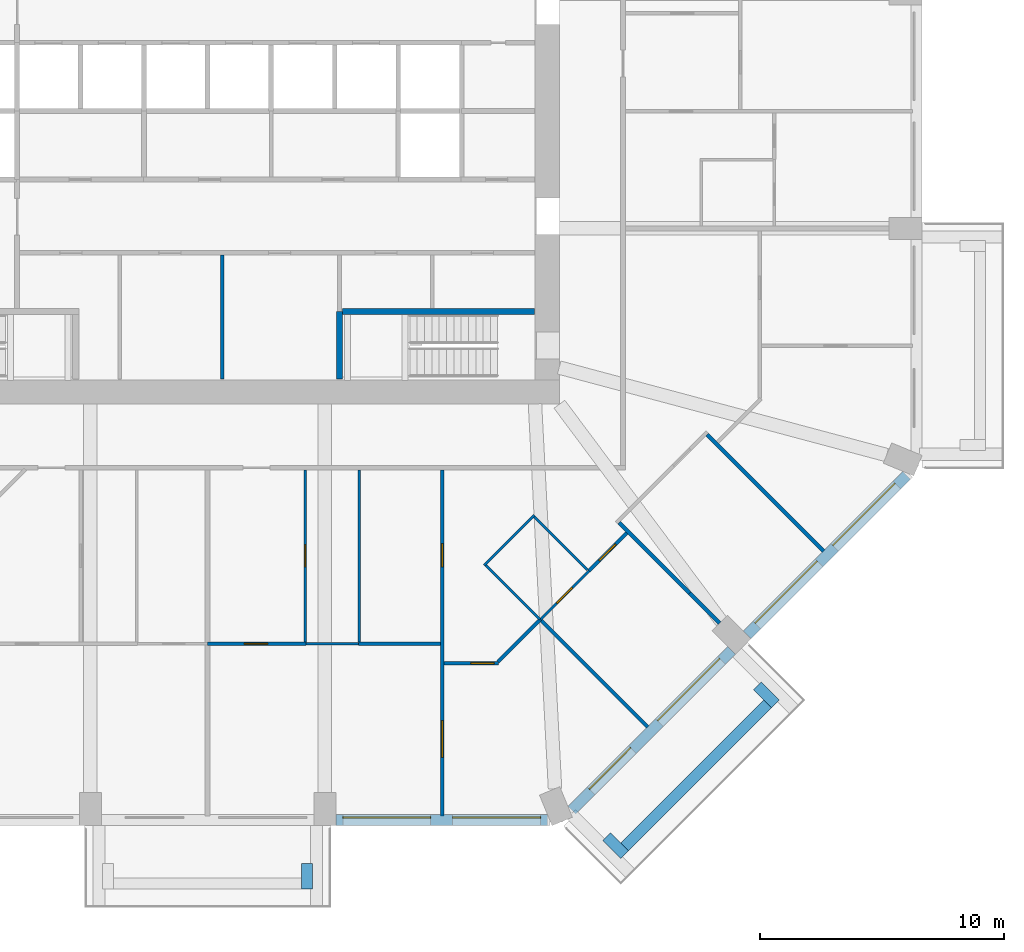
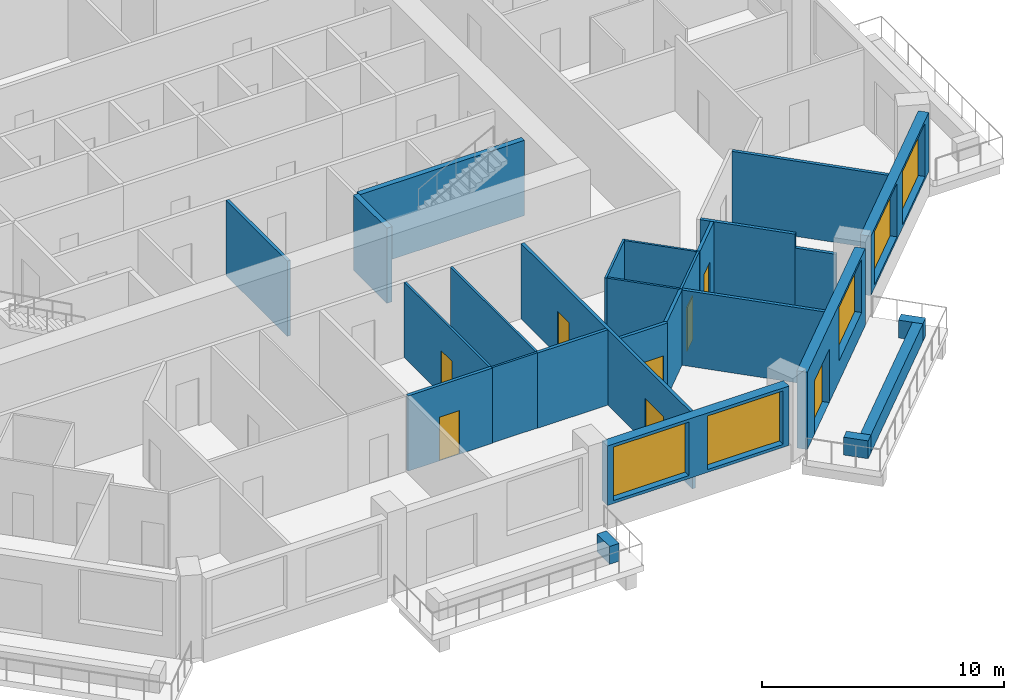
# One storey, part 5 of 13: 27 walls, 8 doors, 5 windows, 13 openings.
"""IFC4 building model written with IfcOpenShell, lengths in metres."""

from ifc_helpers import new_model, si_unit, direction, frame, frame_2d, origin, place, context, subcontext, project, spatial, rectangle, extrude, material, layer, layer_set, type_object, element, fill, save


model = new_model("IFC4")

# Units and contexts
model_context = context("Model", 3, precision=1e-05, world=origin(), true_north=direction((0.0, 1.0)))
body_context = subcontext(model_context, "Body", "Model", "MODEL_VIEW")
ifc_project = project(units=[si_unit("LENGTHUNIT", "METRE"), si_unit("AREAUNIT", "SQUARE_METRE"), si_unit("VOLUMEUNIT", "CUBIC_METRE"), si_unit("PLANEANGLEUNIT", "RADIAN"), si_unit("MASSUNIT", "GRAM", prefix="KILO")], contexts=[model_context])

# Site, building, storey
site_placement = place(None, origin())
site = spatial("IfcSite", under=ifc_project, at=site_placement, CompositionType="ELEMENT")
building_placement = place(site_placement, origin())
building = spatial("IfcBuilding", under=site, at=building_placement, Name="Msitu Wima Residences", CompositionType="ELEMENT")
storey_placement = place(building_placement, frame((0.0, 0.0, 92.699951171875)))
storey = spatial("IfcBuildingStorey", under=building, at=storey_placement, Name="L21", CompositionType="ELEMENT", Elevation=92.699951171875)

# Walls
ifc_material_1 = material(Name="Facing brick")
ifc_layer_1 = layer(ifc_material_1, 0.06494140625, Name="Facing brick")
ifc_material_2 = material(Name="Concrete C40/50", Category="concrete")
ifc_layer_2 = layer(ifc_material_2, 0.156005859375, Name="Concrete C40/50")
ifc_material_3 = material(Name="Waterproofing membrane")
ifc_layer_3 = layer(ifc_material_3, 0.00390625, Name="Waterproofing membrane")
ifc_material_4 = material(Name="Planting soil and planting")
ifc_layer_4 = layer(ifc_material_4, 0.22509765625, Name="Planting soil and planting")
ifc_layer_set_1 = layer_set([ifc_layer_1, ifc_layer_2, ifc_layer_3, ifc_layer_4], Name="Concrete C40/50")
wall_type_1 = type_object("IfcWallType", Name="Balcony planter PLANTER PL450", PredefinedType="USERDEFINED", material=ifc_layer_set_1)
wall_1_placement = place(storey_placement, frame((4.074951171875, -30.800048828125, 0.0), z_axis=(0.0, 0.0, 1.0), x_axis=(0.0, -1.0, 0.0)))
element("IfcWall", 1, at=wall_1_placement, inside=storey, type_object=wall_type_1, Name="Balcony planter S1 L21", ObjectType="PLANTER", PredefinedType="USERDEFINED", context=body_context, shape_type="SweptSolid", body=[
    extrude(rectangle(XDim=1.050048828125, YDim=0.449951171875, at=frame_2d((0.52490234375, 0.0))), origin(), (0.0, 0.0, 1.0), 0.900146484375),
])
wall_2_placement = place(storey_placement, frame((17.0693359375, -30.125732421875, 0.0), z_axis=(0.0, 0.0, 1.0), x_axis=(0.707106781187, 0.707106781187, 0.0)))
element("IfcWall", 2, at=wall_2_placement, inside=storey, type_object=wall_type_1, Name="Balcony planter SE0 L21", ObjectType="PLANTER", PredefinedType="USERDEFINED", context=body_context, shape_type="SweptSolid", body=[
    extrude(rectangle(XDim=8.2822265625, YDim=0.449951171875, at=frame_2d((4.14111328125, 0.0))), origin(), (0.0, 0.0, 1.0), 0.900146484375),
])
for number, where, z_axis, x_axis, name in (
    (3, (16.326904296875, -29.70166015625, 0.0), (0.0, 0.0, 1.0), (0.707106781187, -0.707106781187, 0.0), "Balcony planter SE0 L21"),
    (4, (22.50146484375, -23.52685546875, 0.0), (0.0, 0.0, 1.0), (0.707223014731, -0.706990528533, 0.0), "Balcony planter SE0 L21"),
):
    element("IfcWall", number, at=place(storey_placement, frame(where, z_axis=z_axis, x_axis=x_axis)), inside=storey, type_object=wall_type_1, Name=name, ObjectType="PLANTER", PredefinedType="USERDEFINED", context=body_context, shape_type="SweptSolid", body=[
        extrude(rectangle(XDim=1.050048828125, YDim=0.449951171875, at=frame_2d((0.52490234375, 0.0))), origin(), (0.0, 0.0, 1.0), 0.900146484375),
    ])

# Wall, openings, windows
ifc_material_5 = material(Name="Brick (red buff mix)", Category="masonry")
ifc_layer_5 = layer(ifc_material_5, 0.449951171875)
ifc_layer_set_2 = layer_set([ifc_layer_5], Name="Brick (red buff mix)")
wall_type_2 = type_object("IfcWallType", Name="Brick infill wall BW450", PredefinedType="SOLIDWALL", material=ifc_layer_set_2)
wall_3_placement = place(storey_placement, frame((5.25, -29.02490234375, 0.900146484375), z_axis=(0.0, 0.0, 1.0), x_axis=(1.0, 0.0, 0.0)))
wall_3 = element("IfcWall", 5, at=wall_3_placement, inside=storey, type_object=wall_type_2, Name="Brick infill wall L21 S2", PredefinedType="SOLIDWALL", context=body_context, shape_type="SweptSolid", body=[
    extrude(rectangle(XDim=8.662841796875, YDim=0.449951171875, at=frame_2d((4.33154296875, 0.0))), origin(), (0.0, 0.0, 1.0), 3.0),
])
opening_1_placement = place(wall_3_placement, frame((0.281494140625, 0.0, 0.14990234375)))
opening_1 = element("IfcOpeningElement", 6, at=opening_1_placement, cuts=wall_3, Name="Opening W21.019", PredefinedType="OPENING", context=body_context, shape_type="SweptSolid", body=[
    extrude(rectangle(XDim=3.60009765625, YDim=2.699951171875, at=frame_2d((1.800048828125, 1.35009765625))), frame((0.0, 0.23486328125, 0.0), z_axis=(0.0, -1.0, 0.0), x_axis=(1.0, 0.0, 0.0)), (0.0, 0.0, 1.0), 0.469970703125),
])
opening_2_placement = place(wall_3_placement, frame((4.781494140625, 0.0, 0.14990234375)))
opening_2 = element("IfcOpeningElement", 7, at=opening_2_placement, cuts=wall_3, Name="Opening W21.020", PredefinedType="OPENING", context=body_context, shape_type="SweptSolid", body=[
    extrude(rectangle(XDim=3.60009765625, YDim=2.699951171875, at=frame_2d((1.800048828125, 1.35009765625))), frame((0.0, 0.23486328125, 0.0), z_axis=(0.0, -1.0, 0.0), x_axis=(1.0, 0.0, 0.0)), (0.0, 0.0, 1.0), 0.469970703125),
])
ifc_material_6 = material(Name="Anodised aluminium, bronze finish, clear low-emissivity double glazing", Category="aluminium")
window_type = type_object("IfcWindowType", Name="Window W3600x2700", PartitioningType="DOUBLE_PANEL_VERTICAL", PredefinedType="WINDOW", material=ifc_material_6)
window_1_placement = place(opening_1_placement, origin())
window_1 = element("IfcWindow", 8, at=window_1_placement, inside=storey, type_object=window_type, Name="Window L21 S2.1", OverallHeight=2.699951171875, OverallWidth=3.60009765625, PartitioningType="SINGLE_PANEL", PredefinedType="WINDOW", context=body_context, shape_type="SweptSolid", body=[
    extrude(rectangle(XDim=3.60009765625, YDim=2.699951171875, at=frame_2d((1.800048828125, 1.35009765625))), frame((0.0, 0.135009765625, 0.0), z_axis=(0.0, -1.0, 0.0), x_axis=(1.0, 0.0, 0.0)), (0.0, 0.0, 1.0), 0.06005859375),
])
fill(opening_1, window_1)
window_2_placement = place(opening_2_placement, origin())
window_2 = element("IfcWindow", 9, at=window_2_placement, inside=storey, type_object=window_type, Name="Window L21 S2.2", OverallHeight=2.699951171875, OverallWidth=3.60009765625, PartitioningType="SINGLE_PANEL", PredefinedType="WINDOW", context=body_context, shape_type="SweptSolid", body=[
    extrude(rectangle(XDim=3.60009765625, YDim=2.699951171875, at=frame_2d((1.800048828125, 1.35009765625))), frame((0.0, 0.135009765625, 0.0), z_axis=(0.0, -1.0, 0.0), x_axis=(1.0, 0.0, 0.0)), (0.0, 0.0, 1.0), 0.06005859375),
])
fill(opening_2, window_2)

# Wall, openings, door, window
wall_4_placement = place(storey_placement, frame((14.903564453125, -28.61474609375, 0.0), z_axis=(0.0, 0.0, 1.0), x_axis=(0.707106781187, 0.707106781187, 0.0)))
wall_4 = element("IfcWall", 10, at=wall_4_placement, inside=storey, type_object=wall_type_2, Name="Brick infill wall L21 SE0", PredefinedType="SOLIDWALL", context=body_context, shape_type="SweptSolid", body=[
    extrude(rectangle(XDim=9.2451171875, YDim=0.449951171875, at=frame_2d((4.62255859375, 0.0))), origin(), (0.0, 0.0, 1.0), 3.900146484375),
])
opening_3_placement = place(wall_4_placement, frame((1.111328125, 0.0, 0.0)))
opening_3 = element("IfcOpeningElement", 11, at=opening_3_placement, cuts=wall_4, Name="Opening D21.007", PredefinedType="OPENING", context=body_context, shape_type="SweptSolid", body=[
    extrude(rectangle(XDim=2.39990234375, YDim=2.699951171875, at=frame_2d((1.199951171875, 1.35009765625))), frame((0.0, 0.23486328125, 0.0), z_axis=(0.0, -1.0, 0.0), x_axis=(1.0, 0.0, 0.0)), (0.0, 0.0, 1.0), 0.469970703125),
])
opening_4_placement = place(wall_4_placement, frame((5.072509765625, 0.0, 1.050048828125)))
opening_4 = element("IfcOpeningElement", 12, at=opening_4_placement, cuts=wall_4, Name="Opening W21.021", PredefinedType="OPENING", context=body_context, shape_type="SweptSolid", body=[
    extrude(rectangle(XDim=3.60009765625, YDim=2.699951171875, at=frame_2d((1.800048828125, 1.35009765625))), frame((0.0, 0.23486328125, 0.0), z_axis=(0.0, -1.0, 0.0), x_axis=(1.0, 0.0, 0.0)), (0.0, 0.0, 1.0), 0.469970703125),
])
door_type_1 = type_object("IfcDoorType", Name="Balcony door D2400x2700", OperationType="SLIDING_TO_LEFT", PredefinedType="DOOR", material=ifc_material_6)
door_1_placement = place(opening_3_placement, origin())
door_1 = element("IfcDoor", 13, at=door_1_placement, inside=storey, type_object=door_type_1, Name="Balcony door L21 SE0", OperationType="SINGLE_SWING_LEFT", OverallHeight=2.699951171875, OverallWidth=2.39990234375, PredefinedType="DOOR", context=body_context, shape_type="SweptSolid", body=[
    extrude(rectangle(XDim=2.39990234375, YDim=2.699951171875, at=frame_2d((1.199951171875, 1.35009765625))), frame((0.0, 0.1298828125, 0.0), z_axis=(0.0, -1.0, 0.0), x_axis=(1.0, 0.0, 0.0)), (0.0, 0.0, 1.0), 0.050048828125),
])
fill(opening_3, door_1)
window_3_placement = place(opening_4_placement, origin())
window_3 = element("IfcWindow", 14, at=window_3_placement, inside=storey, type_object=window_type, Name="Window L21 SE0.2", OverallHeight=2.699951171875, OverallWidth=3.60009765625, PartitioningType="SINGLE_PANEL", PredefinedType="WINDOW", context=body_context, shape_type="SweptSolid", body=[
    extrude(rectangle(XDim=3.60009765625, YDim=2.699951171875, at=frame_2d((1.800048828125, 1.35009765625))), frame((0.0, 0.135009765625, 0.0), z_axis=(0.0, -1.0, 0.0), x_axis=(1.0, 0.0, 0.0)), (0.0, 0.0, 1.0), 0.06005859375),
])
fill(opening_4, window_3)

# Wall, openings, windows
wall_5_placement = place(storey_placement, frame((22.077392578125, -21.44091796875, 0.900146484375), z_axis=(0.0, 0.0, 1.0), x_axis=(0.707106781187, 0.707106781187, 0.0)))
wall_5 = element("IfcWall", 15, at=wall_5_placement, inside=storey, type_object=wall_type_2, Name="Brick infill wall L21 SE1", PredefinedType="SOLIDWALL", context=body_context, shape_type="SweptSolid", body=[
    extrude(rectangle(XDim=9.2451171875, YDim=0.449951171875, at=frame_2d((4.62255859375, 0.0))), origin(), (0.0, 0.0, 1.0), 3.0),
])
opening_5_placement = place(wall_5_placement, frame((0.572509765625, 0.0, 0.14990234375)))
opening_5 = element("IfcOpeningElement", 16, at=opening_5_placement, cuts=wall_5, Name="Opening W21.022", PredefinedType="OPENING", context=body_context, shape_type="SweptSolid", body=[
    extrude(rectangle(XDim=3.60009765625, YDim=2.699951171875, at=frame_2d((1.800048828125, 1.35009765625))), frame((0.0, 0.23486328125, 0.0), z_axis=(0.0, -1.0, 0.0), x_axis=(1.0, 0.0, 0.0)), (0.0, 0.0, 1.0), 0.469970703125),
])
opening_6_placement = place(wall_5_placement, frame((5.072509765625, 0.0, 0.14990234375)))
opening_6 = element("IfcOpeningElement", 17, at=opening_6_placement, cuts=wall_5, Name="Opening W21.023", PredefinedType="OPENING", context=body_context, shape_type="SweptSolid", body=[
    extrude(rectangle(XDim=3.60009765625, YDim=2.699951171875, at=frame_2d((1.800048828125, 1.35009765625))), frame((0.0, 0.23486328125, 0.0), z_axis=(0.0, -1.0, 0.0), x_axis=(1.0, 0.0, 0.0)), (0.0, 0.0, 1.0), 0.469970703125),
])
window_4_placement = place(opening_5_placement, origin())
window_4 = element("IfcWindow", 18, at=window_4_placement, inside=storey, type_object=window_type, Name="Window L21 SE1.1", OverallHeight=2.699951171875, OverallWidth=3.60009765625, PartitioningType="SINGLE_PANEL", PredefinedType="WINDOW", context=body_context, shape_type="SweptSolid", body=[
    extrude(rectangle(XDim=3.60009765625, YDim=2.699951171875, at=frame_2d((1.800048828125, 1.35009765625))), frame((0.0, 0.135009765625, 0.0), z_axis=(0.0, -1.0, 0.0), x_axis=(1.0, 0.0, 0.0)), (0.0, 0.0, 1.0), 0.06005859375),
])
fill(opening_5, window_4)
window_5_placement = place(opening_6_placement, origin())
window_5 = element("IfcWindow", 19, at=window_5_placement, inside=storey, type_object=window_type, Name="Window L21 SE1.2", OverallHeight=2.699951171875, OverallWidth=3.60009765625, PartitioningType="SINGLE_PANEL", PredefinedType="WINDOW", context=body_context, shape_type="SweptSolid", body=[
    extrude(rectangle(XDim=3.60009765625, YDim=2.699951171875, at=frame_2d((1.800048828125, 1.35009765625))), frame((0.0, 0.135009765625, 0.0), z_axis=(0.0, -1.0, 0.0), x_axis=(1.0, 0.0, 0.0)), (0.0, 0.0, 1.0), 0.06005859375),
])
fill(opening_6, window_5)

# Wall, opening, door
ifc_material_7 = material(Name="Plaster")
ifc_layer_6 = layer(ifc_material_7, 0.011962890625, Name="Plaster")
ifc_material_8 = material(Name="Concrete blockwork", Category="masonry")
ifc_layer_7 = layer(ifc_material_8, 0.1259765625, Name="Concrete blockwork")
ifc_layer_8 = layer(ifc_material_7, 0.011962890625, Name="Plaster")
ifc_layer_set_3 = layer_set([ifc_layer_6, ifc_layer_7, ifc_layer_8], Name="Concrete blockwork")
wall_type_3 = type_object("IfcWallType", Name="Partition PW150", PredefinedType="PARTITIONING", material=ifc_layer_set_3)
wall_6_placement = place(storey_placement, frame((0.0, -21.800048828125, 0.0), z_axis=(0.0, 0.0, 1.0), x_axis=(1.0, 0.0, 0.0)))
wall_6 = element("IfcWall", 20, at=wall_6_placement, inside=storey, type_object=wall_type_3, Name="Partition", PredefinedType="PARTITIONING", context=body_context, shape_type="SweptSolid", body=[
    extrude(rectangle(XDim=4.02001953125, YDim=0.14990234375, at=frame_2d((2.010009765625, 0.0))), origin(), (0.0, 0.0, 1.0), 3.798095703125),
])
opening_7_placement = place(wall_6_placement, frame((1.5, 0.0, 0.0)))
opening_7 = element("IfcOpeningElement", 21, at=opening_7_placement, cuts=wall_6, Name="Opening D21.075", PredefinedType="OPENING", context=body_context, shape_type="SweptSolid", body=[
    extrude(rectangle(XDim=0.949951171875, YDim=2.199951171875, at=frame_2d((0.47509765625, 1.10009765625))), frame((0.0, 0.0849609375, 0.0), z_axis=(0.0, -1.0, 0.0), x_axis=(1.0, 0.0, 0.0)), (0.0, 0.0, 1.0), 0.169921875),
])
ifc_material_9 = material(Name="Timber flush door", Category="wood")
door_type_2 = type_object("IfcDoorType", Name="Room door D12 950x2200", OperationType="SINGLE_SWING_LEFT", PredefinedType="DOOR", material=ifc_material_9)
door_2_placement = place(opening_7_placement, origin())
door_2 = element("IfcDoor", 22, at=door_2_placement, inside=storey, type_object=door_type_2, Name="Room door", OperationType="SINGLE_SWING_RIGHT", OverallHeight=2.199951171875, OverallWidth=0.949951171875, PredefinedType="DOOR", context=body_context, shape_type="SweptSolid", body=[
    extrude(rectangle(XDim=0.949951171875, YDim=2.199951171875, at=frame_2d((0.47509765625, 1.10009765625))), frame((0.0, 0.02490234375, 0.0), z_axis=(0.0, -1.0, 0.0), x_axis=(1.0, 0.0, 0.0)), (0.0, 0.0, 1.0), 0.050048828125),
])
fill(opening_7, door_2)

# Walls
wall_7_placement = place(storey_placement, frame((0.60009765625, -10.969970703125, 0.0), z_axis=(0.0, 0.0, 1.0), x_axis=(0.0, 1.0, 0.0)))
element("IfcWall", 23, at=wall_7_placement, inside=storey, type_object=wall_type_3, Name="Partition", PredefinedType="PARTITIONING", context=body_context, shape_type="SweptSolid", body=[
    extrude(rectangle(XDim=5.070068359375, YDim=0.14990234375, at=frame_2d((2.53515625, 0.0))), origin(), (0.0, 0.0, 1.0), 3.798095703125),
])
wall_8_placement = place(storey_placement, frame((6.179931640625, -21.800048828125, 0.0), z_axis=(0.0, 0.0, 1.0), x_axis=(1.0, 0.0, 0.0)))
element("IfcWall", 24, at=wall_8_placement, inside=storey, type_object=wall_type_3, Name="Partition", PredefinedType="PARTITIONING", context=body_context, shape_type="SweptSolid", body=[
    extrude(rectangle(XDim=3.344970703125, YDim=0.14990234375, at=frame_2d((1.67236328125, 0.0))), origin(), (0.0, 0.0, 1.0), 3.798095703125),
])

# Wall, openings, doors
wall_9_placement = place(storey_placement, frame((9.60009765625, -28.85498046875, 0.0), z_axis=(0.0, 0.0, 1.0), x_axis=(0.0, 1.0, 0.0)))
wall_9 = element("IfcWall", 25, at=wall_9_placement, inside=storey, type_object=wall_type_3, Name="Partition", PredefinedType="PARTITIONING", context=body_context, shape_type="SweptSolid", body=[
    extrude(rectangle(XDim=14.155029296875, YDim=0.14990234375, at=frame_2d((7.07763671875, 0.0))), origin(), (0.0, 0.0, 1.0), 3.798095703125),
])
opening_8_placement = place(wall_9_placement, frame((2.39990234375, 0.0, 0.0)))
opening_8 = element("IfcOpeningElement", 26, at=opening_8_placement, cuts=wall_9, Name="Opening D21.076", PredefinedType="OPENING", context=body_context, shape_type="SweptSolid", body=[
    extrude(rectangle(XDim=1.5, YDim=2.199951171875, at=frame_2d((0.75, 1.10009765625))), frame((0.0, 0.0849609375, 0.0), z_axis=(0.0, -1.0, 0.0), x_axis=(1.0, 0.0, 0.0)), (0.0, 0.0, 1.0), 0.169921875),
])
opening_9_placement = place(wall_9_placement, frame((10.199951171875, 0.0, 0.0)))
opening_9 = element("IfcOpeningElement", 27, at=opening_9_placement, cuts=wall_9, Name="Opening D21.085", PredefinedType="OPENING", context=body_context, shape_type="SweptSolid", body=[
    extrude(rectangle(XDim=0.949951171875, YDim=2.199951171875, at=frame_2d((0.47509765625, 1.10009765625))), frame((0.0, 0.0849609375, 0.0), z_axis=(0.0, -1.0, 0.0), x_axis=(1.0, 0.0, 0.0)), (0.0, 0.0, 1.0), 0.169921875),
])
ifc_material_10 = material(Name="Timber double door", Category="wood")
door_type_3 = type_object("IfcDoorType", Name="Double door D04 1500x2200", OperationType="DOUBLE_DOOR_SINGLE_SWING", PredefinedType="DOOR", material=ifc_material_10)
door_3_placement = place(opening_8_placement, origin())
door_3 = element("IfcDoor", 28, at=door_3_placement, inside=storey, type_object=door_type_3, Name="Double door", OperationType="DOUBLE_DOOR_SINGLE_SWING", OverallHeight=2.199951171875, OverallWidth=1.5, PredefinedType="DOOR", context=body_context, shape_type="SweptSolid", body=[
    extrude(rectangle(XDim=1.5, YDim=2.199951171875, at=frame_2d((0.75, 1.10009765625))), frame((0.0, 0.02490234375, 0.0), z_axis=(0.0, -1.0, 0.0), x_axis=(1.0, 0.0, 0.0)), (0.0, 0.0, 1.0), 0.050048828125),
])
fill(opening_8, door_3)
door_4_placement = place(opening_9_placement, origin())
door_4 = element("IfcDoor", 29, at=door_4_placement, inside=storey, type_object=door_type_2, Name="Room door", OperationType="SINGLE_SWING_RIGHT", OverallHeight=2.199951171875, OverallWidth=0.949951171875, PredefinedType="DOOR", context=body_context, shape_type="SweptSolid", body=[
    extrude(rectangle(XDim=0.949951171875, YDim=2.199951171875, at=frame_2d((0.47509765625, 1.10009765625))), frame((0.0, 0.02490234375, 0.0), z_axis=(0.0, -1.0, 0.0), x_axis=(1.0, 0.0, 0.0)), (0.0, 0.0, 1.0), 0.050048828125),
])
fill(opening_9, door_4)

# Wall, opening, door
wall_10_placement = place(storey_placement, frame((9.675048828125, -22.60009765625, 0.0), z_axis=(0.0, 0.0, 1.0), x_axis=(1.0, 0.0, 0.0)))
wall_10 = element("IfcWall", 30, at=wall_10_placement, inside=storey, type_object=wall_type_3, Name="Partition", PredefinedType="PARTITIONING", context=body_context, shape_type="SweptSolid", body=[
    extrude(rectangle(XDim=2.23193359375, YDim=0.14990234375, at=frame_2d((1.115966796875, 0.0))), origin(), (0.0, 0.0, 1.0), 3.798095703125),
])
opening_10_placement = place(wall_10_placement, frame((1.10009765625, 0.0, 0.0)))
opening_10 = element("IfcOpeningElement", 31, at=opening_10_placement, cuts=wall_10, Name="Opening D21.078", PredefinedType="OPENING", context=body_context, shape_type="SweptSolid", body=[
    extrude(rectangle(XDim=0.949951171875, YDim=2.199951171875, at=frame_2d((0.47509765625, 1.10009765625))), frame((0.0, 0.0849609375, 0.0), z_axis=(0.0, -1.0, 0.0), x_axis=(1.0, 0.0, 0.0)), (0.0, 0.0, 1.0), 0.169921875),
])
door_5_placement = place(opening_10_placement, origin())
door_5 = element("IfcDoor", 32, at=door_5_placement, inside=storey, type_object=door_type_2, Name="Room door", OperationType="SINGLE_SWING_RIGHT", OverallHeight=2.199951171875, OverallWidth=0.949951171875, PredefinedType="DOOR", context=body_context, shape_type="SweptSolid", body=[
    extrude(rectangle(XDim=0.949951171875, YDim=2.199951171875, at=frame_2d((0.47509765625, 1.10009765625))), frame((0.0, 0.02490234375, 0.0), z_axis=(0.0, -1.0, 0.0), x_axis=(1.0, 0.0, 0.0)), (0.0, 0.0, 1.0), 0.050048828125),
])
fill(opening_10, door_5)

# Walls
wall_11_placement = place(storey_placement, frame((11.885009765625, -22.546875, 0.0), z_axis=(0.0, 0.0, 1.0), x_axis=(0.707106781187, 0.707106781187, 0.0)))
element("IfcWall", 33, at=wall_11_placement, inside=storey, type_object=wall_type_3, Name="Partition", PredefinedType="PARTITIONING", context=body_context, shape_type="SweptSolid", body=[
    extrude(rectangle(XDim=2.447998046875, YDim=0.14990234375, at=frame_2d((1.22412109375, 0.0))), origin(), (0.0, 0.0, 1.0), 3.798095703125),
])
wall_12_placement = place(storey_placement, frame((13.601806640625, -20.8017578125, 0.0), z_axis=(0.0, 0.0, 1.0), x_axis=(0.707087234081, -0.707126327752, 0.0)))
element("IfcWall", 34, at=wall_12_placement, inside=storey, type_object=wall_type_3, Name="Partition", PredefinedType="PARTITIONING", context=body_context, shape_type="SweptSolid", body=[
    extrude(rectangle(XDim=6.2451171875, YDim=0.14990234375, at=frame_2d((3.12255859375, 0.0))), origin(), (0.0, 0.0, 1.0), 3.798095703125),
])

# Wall, opening, door
wall_13_placement = place(storey_placement, frame((15.60986328125, -18.82177734375, 0.0), z_axis=(0.0, 0.0, 1.0), x_axis=(0.707162364787, 0.707051193216, 0.0)))
wall_13 = element("IfcWall", 35, at=wall_13_placement, inside=storey, type_object=wall_type_3, Name="Partition", PredefinedType="PARTITIONING", context=body_context, shape_type="SweptSolid", body=[
    extrude(rectangle(XDim=2.196044921875, YDim=0.14990234375, at=frame_2d((1.09814453125, 0.0))), origin(), (0.0, 0.0, 1.0), 3.798095703125),
])
opening_11_placement = place(wall_13_placement, frame((0.60009765625, 0.0, 0.0)))
opening_11 = element("IfcOpeningElement", 36, at=opening_11_placement, cuts=wall_13, Name="Opening D21.080", PredefinedType="OPENING", context=body_context, shape_type="SweptSolid", body=[
    extrude(rectangle(XDim=0.949951171875, YDim=2.199951171875, at=frame_2d((0.47509765625, 1.10009765625))), frame((0.0, 0.0849609375, 0.0), z_axis=(0.0, -1.0, 0.0), x_axis=(1.0, 0.0, 0.0)), (0.0, 0.0, 1.0), 0.169921875),
])
door_6_placement = place(opening_11_placement, origin())
door_6 = element("IfcDoor", 37, at=door_6_placement, inside=storey, type_object=door_type_2, Name="Room door", OperationType="SINGLE_SWING_LEFT", OverallHeight=2.199951171875, OverallWidth=0.949951171875, PredefinedType="DOOR", context=body_context, shape_type="SweptSolid", body=[
    extrude(rectangle(XDim=0.949951171875, YDim=2.199951171875, at=frame_2d((0.47509765625, 1.10009765625))), frame((0.0, 0.02490234375, 0.0), z_axis=(0.0, -1.0, 0.0), x_axis=(1.0, 0.0, 0.0)), (0.0, 0.0, 1.0), 0.050048828125),
])
fill(opening_11, door_6)

# Walls
wall_14_placement = place(storey_placement, frame((16.8447265625, -16.8447265625, 0.0), z_axis=(0.0, 0.0, 1.0), x_axis=(0.707106781187, -0.707106781187, 0.0)))
element("IfcWall", 38, at=wall_14_placement, inside=storey, type_object=wall_type_3, Name="Partition", PredefinedType="PARTITIONING", context=body_context, shape_type="SweptSolid", body=[
    extrude(rectangle(XDim=4.07666015625, YDim=0.14990234375, at=frame_2d((2.038330078125, 0.0))), origin(), (0.0, 0.0, 1.0), 3.798095703125),
])
wall_15_placement = place(storey_placement, frame((19.727294921875, -19.727294921875, 0.0), z_axis=(0.0, 0.0, 1.0), x_axis=(0.707106781187, -0.707106781187, 0.0)))
element("IfcWall", 39, at=wall_15_placement, inside=storey, type_object=wall_type_3, Name="Partition", PredefinedType="PARTITIONING", context=body_context, shape_type="SweptSolid", body=[
    extrude(rectangle(XDim=1.74853515625, YDim=0.14990234375, at=frame_2d((0.874267578125, 0.0))), origin(), (0.0, 0.0, 1.0), 3.10009765625),
])
wall_16_placement = place(storey_placement, frame((20.44482421875, -13.24462890625, 0.0), z_axis=(0.0, 0.0, 1.0), x_axis=(0.707106781187, -0.707106781187, 0.0)))
element("IfcWall", 40, at=wall_16_placement, inside=storey, type_object=wall_type_3, Name="Partition", PredefinedType="PARTITIONING", context=body_context, shape_type="SweptSolid", body=[
    extrude(rectangle(XDim=6.75, YDim=0.14990234375, at=frame_2d((3.375, 0.0))), origin(), (0.0, 0.0, 1.0), 3.798095703125),
])
ifc_material_11 = material(Name="Concrete C50/60", Category="concrete")
ifc_layer_9 = layer(ifc_material_11, 0.25)
ifc_layer_set_4 = layer_set([ifc_layer_9], Name="Concrete C50/60")
wall_type_4 = type_object("IfcWallType", Name="Stair enclosure wall SW250", PredefinedType="SHEAR", material=ifc_layer_set_4)
wall_17_placement = place(storey_placement, frame((5.39990234375, -10.969970703125, 0.0), z_axis=(0.0, 0.0, 1.0), x_axis=(0.0, 1.0, 0.0)))
element("IfcWall", 41, at=wall_17_placement, inside=storey, type_object=wall_type_4, Name="Stair enclosure wall", PredefinedType="SHEAR", context=body_context, shape_type="SweptSolid", body=[
    extrude(rectangle(XDim=2.77001953125, YDim=0.25, at=frame_2d((1.385009765625, 0.0))), origin(), (0.0, 0.0, 1.0), 3.798095703125),
])
wall_18_placement = place(storey_placement, frame((5.52490234375, -8.199951171875, 0.0), z_axis=(0.0, 0.0, 1.0), x_axis=(1.0, 0.0, 0.0)))
element("IfcWall", 42, at=wall_18_placement, inside=storey, type_object=wall_type_4, Name="Stair enclosure wall", PredefinedType="SHEAR", context=body_context, shape_type="SweptSolid", body=[
    extrude(rectangle(XDim=7.84521484375, YDim=0.25, at=frame_2d((3.922607421875, 0.0))), origin(), (0.0, 0.0, 1.0), 3.798095703125),
])
ifc_material_12 = material(Name="Ceramic tiles")
ifc_layer_10 = layer(ifc_material_12, 0.008056640625, Name="Ceramic tiles")
ifc_material_13 = material(Name="Moisture-resistant board")
ifc_layer_11 = layer(ifc_material_13, 0.012451171875, Name="Moisture-resistant board")
ifc_material_14 = material(Name="Light-gauge stud framing with mineral wool")
ifc_layer_12 = layer(ifc_material_14, 0.06689453125, Name="Light-gauge stud framing with mineral wool")
ifc_layer_13 = layer(ifc_material_13, 0.012451171875, Name="Moisture-resistant board")
ifc_layer_set_5 = layer_set([ifc_layer_10, ifc_layer_11, ifc_layer_12, ifc_layer_13], Name="Light-gauge stud framing with mineral wool")
wall_type_5 = type_object("IfcWallType", Name="Wet wall PW100", PredefinedType="PARTITIONING", material=ifc_layer_set_5)
wall_19_placement = place(storey_placement, frame((4.02001953125, -21.800048828125, 0.0), z_axis=(0.0, 0.0, 1.0), x_axis=(1.0, 0.0, 0.0)))
element("IfcWall", 43, at=wall_19_placement, inside=storey, type_object=wall_type_5, Name="Wet wall", PredefinedType="PARTITIONING", context=body_context, shape_type="SweptSolid", body=[
    extrude(rectangle(XDim=2.159912109375, YDim=0.10009765625, at=frame_2d((1.080078125, 0.0))), origin(), (0.0, 0.0, 1.0), 3.798095703125),
])

# Wall, opening, door
wall_20_placement = place(storey_placement, frame((4.0, -21.75, 0.0), z_axis=(0.0, 0.0, 1.0), x_axis=(0.0, 1.0, 0.0)))
wall_20 = element("IfcWall", 44, at=wall_20_placement, inside=storey, type_object=wall_type_5, Name="Wet wall", PredefinedType="PARTITIONING", context=body_context, shape_type="SweptSolid", body=[
    extrude(rectangle(XDim=7.050048828125, YDim=0.10009765625, at=frame_2d((3.52490234375, 0.0))), origin(), (0.0, 0.0, 1.0), 3.798095703125),
])
opening_12_placement = place(wall_20_placement, frame((3.10009765625, 0.0, 0.0)))
opening_12 = element("IfcOpeningElement", 45, at=opening_12_placement, cuts=wall_20, Name="Opening D21.077", PredefinedType="OPENING", context=body_context, shape_type="SweptSolid", body=[
    extrude(rectangle(XDim=0.89990234375, YDim=2.199951171875, at=frame_2d((0.449951171875, 1.10009765625))), frame((0.0, 0.06005859375, 0.0), z_axis=(0.0, -1.0, 0.0), x_axis=(1.0, 0.0, 0.0)), (0.0, 0.0, 1.0), 0.1201171875),
])
ifc_material_15 = material(Name="Timber flush door, moisture resistant", Category="wood")
door_type_4 = type_object("IfcDoorType", Name="Bathroom door D03 900x2200", OperationType="SINGLE_SWING_LEFT", PredefinedType="DOOR", material=ifc_material_15)
door_7_placement = place(opening_12_placement, origin())
door_7 = element("IfcDoor", 46, at=door_7_placement, inside=storey, type_object=door_type_4, Name="Bathroom door", OperationType="SINGLE_SWING_LEFT", OverallHeight=2.199951171875, OverallWidth=0.89990234375, PredefinedType="DOOR", context=body_context, shape_type="SweptSolid", body=[
    extrude(rectangle(XDim=0.89990234375, YDim=2.199951171875, at=frame_2d((0.449951171875, 1.10009765625))), frame((0.0, 0.02490234375, 0.0), z_axis=(0.0, -1.0, 0.0), x_axis=(1.0, 0.0, 0.0)), (0.0, 0.0, 1.0), 0.050048828125),
])
fill(opening_12, door_7)

# Walls
wall_21_placement = place(storey_placement, frame((6.199951171875, -21.72509765625, 0.0), z_axis=(0.0, 0.0, 1.0), x_axis=(0.0, 1.0, 0.0)))
element("IfcWall", 47, at=wall_21_placement, inside=storey, type_object=wall_type_5, Name="Wet wall", PredefinedType="PARTITIONING", context=body_context, shape_type="SweptSolid", body=[
    extrude(rectangle(XDim=7.025146484375, YDim=0.10009765625, at=frame_2d((3.5126953125, 0.0))), origin(), (0.0, 0.0, 1.0), 3.798095703125),
])
wall_22_placement = place(storey_placement, frame((11.31787109375, -18.588623046875, 0.0), z_axis=(0.0, 0.0, 1.0), x_axis=(0.707064687739, 0.707148872128, 0.0)))
element("IfcWall", 48, at=wall_22_placement, inside=storey, type_object=wall_type_5, Name="Wet wall", PredefinedType="PARTITIONING", context=body_context, shape_type="SweptSolid", body=[
    extrude(rectangle(XDim=2.900146484375, YDim=0.10009765625, at=frame_2d((1.4501953125, 0.0))), origin(), (0.0, 0.0, 1.0), 3.798095703125),
])
wall_23_placement = place(storey_placement, frame((11.388671875, -18.588623046875, 0.0), z_axis=(0.0, 0.0, 1.0), x_axis=(0.707106781187, -0.707106781187, 0.0)))
element("IfcWall", 49, at=wall_23_placement, inside=storey, type_object=wall_type_5, Name="Wet wall", PredefinedType="PARTITIONING", context=body_context, shape_type="SweptSolid", body=[
    extrude(rectangle(XDim=3.1298828125, YDim=0.10009765625, at=frame_2d((1.56494140625, 0.0))), origin(), (0.0, 0.0, 1.0), 3.798095703125),
])
wall_24_placement = place(storey_placement, frame((13.368408203125, -16.608642578125, 0.0), z_axis=(0.0, 0.0, 1.0), x_axis=(0.707106781187, -0.707106781187, 0.0)))
element("IfcWall", 50, at=wall_24_placement, inside=storey, type_object=wall_type_5, Name="Wet wall", PredefinedType="PARTITIONING", context=body_context, shape_type="SweptSolid", body=[
    extrude(rectangle(XDim=3.074951171875, YDim=0.10009765625, at=frame_2d((1.53759765625, 0.0))), origin(), (0.0, 0.0, 1.0), 3.798095703125),
])

# Wall, opening, door
wall_25_placement = place(storey_placement, frame((13.615966796875, -20.81591796875, 0.0), z_axis=(0.0, 0.0, 1.0), x_axis=(0.707063492027, 0.707150067696, 0.0)))
wall_25 = element("IfcWall", 51, at=wall_25_placement, inside=storey, type_object=wall_type_5, Name="Wet wall", PredefinedType="PARTITIONING", context=body_context, shape_type="SweptSolid", body=[
    extrude(rectangle(XDim=2.820068359375, YDim=0.10009765625, at=frame_2d((1.41015625, 0.0))), origin(), (0.0, 0.0, 1.0), 3.798095703125),
])
opening_13_placement = place(wall_25_placement, frame((0.949951171875, 0.0, 0.0)))
opening_13 = element("IfcOpeningElement", 52, at=opening_13_placement, cuts=wall_25, Name="Opening D21.081", PredefinedType="OPENING", context=body_context, shape_type="SweptSolid", body=[
    extrude(rectangle(XDim=0.89990234375, YDim=2.199951171875, at=frame_2d((0.449951171875, 1.10009765625))), frame((0.0, 0.06005859375, 0.0), z_axis=(0.0, -1.0, 0.0), x_axis=(1.0, 0.0, 0.0)), (0.0, 0.0, 1.0), 0.1201171875),
])
door_8_placement = place(opening_13_placement, origin())
door_8 = element("IfcDoor", 53, at=door_8_placement, inside=storey, type_object=door_type_4, Name="Bathroom door", OperationType="SINGLE_SWING_LEFT", OverallHeight=2.199951171875, OverallWidth=0.89990234375, PredefinedType="DOOR", context=body_context, shape_type="SweptSolid", body=[
    extrude(rectangle(XDim=0.89990234375, YDim=2.199951171875, at=frame_2d((0.449951171875, 1.10009765625))), frame((0.0, 0.02490234375, 0.0), z_axis=(0.0, -1.0, 0.0), x_axis=(1.0, 0.0, 0.0)), (0.0, 0.0, 1.0), 0.050048828125),
])
fill(opening_13, door_8)

save(model, "model.ifc")
